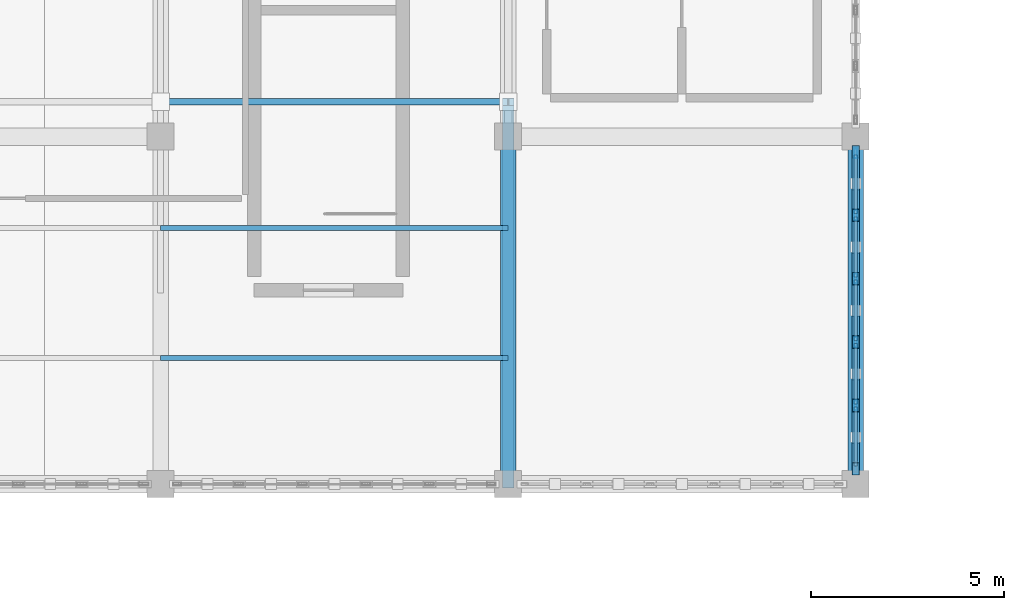
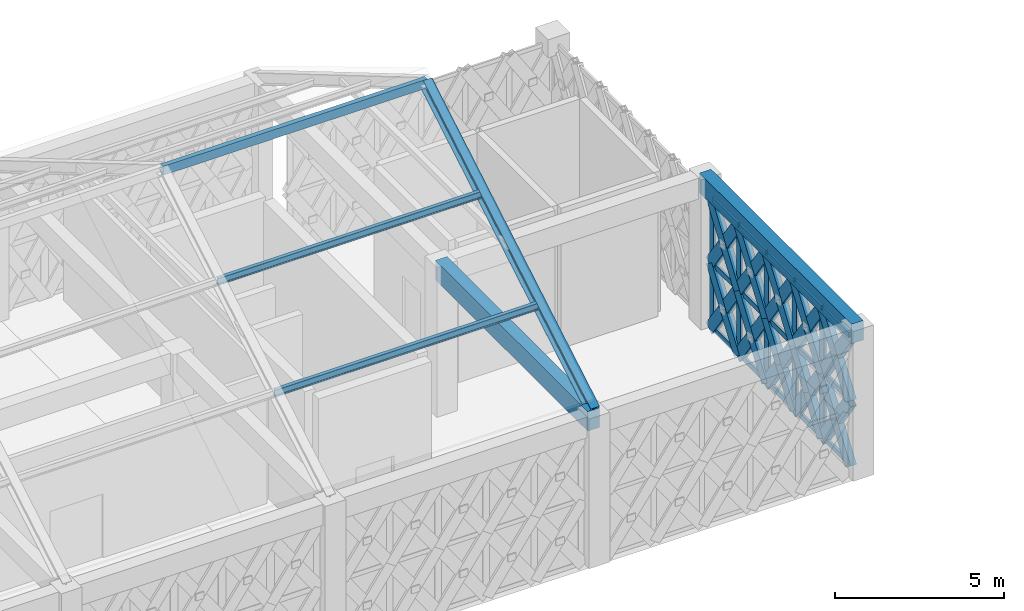
# One storey, part 47 of 72: 54 members, 2 beams, 1 element without a shape of its own.
"""IFC4 building model written with IfcOpenShell, lengths in metres."""

from ifc_helpers import new_model, si_unit, direction, frame, origin, origin_2d, place, context, subcontext, project, spatial, rectangle, hollow_rectangle, i_section, extrude, material, material_profile, profile_set, type_object, element, aggregate, save


model = new_model("IFC4")

# Units and contexts
model_context = context("Model", 3, precision=1e-05, world=origin(), true_north=direction((0.0, 1.0)))
body_context = subcontext(model_context, "Body", "Model", "MODEL_VIEW")
ifc_project = project(units=[si_unit("LENGTHUNIT", "METRE"), si_unit("AREAUNIT", "SQUARE_METRE"), si_unit("VOLUMEUNIT", "CUBIC_METRE"), si_unit("PLANEANGLEUNIT", "RADIAN"), si_unit("MASSUNIT", "GRAM", prefix="KILO")], contexts=[model_context])

# Site, building, storey
site_placement = place(None, origin())
site = spatial("IfcSite", under=ifc_project, at=site_placement, CompositionType="ELEMENT")
building_placement = place(site_placement, origin())
building = spatial("IfcBuilding", under=site, at=building_placement, Name="Haizhuo Lancet Aquarium", CompositionType="ELEMENT")
storey_placement = place(building_placement, frame((0.0, 0.0, 21.60009765625)))
storey = spatial("IfcBuildingStorey", under=building, at=storey_placement, Name="L04", CompositionType="ELEMENT", Elevation=21.60009765625)

# Beams
ifc_material_1 = material(Name="Concrete C40/50", Category="concrete")
ifc_material_profile_1 = material_profile(ifc_material_1, rectangle(XDim=0.39990234375, YDim=0.699951171875, at=origin_2d()), Name="RC-BM 400x700")
ifc_profile_set_1 = profile_set([ifc_material_profile_1], Name="Concrete C40/50")
beam_type = type_object("IfcBeamType", Name="BM-RC-400x700", PredefinedType="BEAM", material=ifc_profile_set_1)
for number, where, z_axis, x_axis, name in (
    (1, (18.0, 36.0, 5.0498046875), (0.0, 1.0, 0.0), (-1.0, 0.0, 0.0), "L04 V5 primary girder BM-L04-V5-021"),
    (2, (27.0, 36.0, 5.0498046875), (0.0, 1.0, 0.0), (-1.0, 0.0, 0.0), "L04 V5 primary girder BM-L04-V5-025"),
):
    element("IfcBeam", number, at=place(storey_placement, frame(where, z_axis=z_axis, x_axis=x_axis)), inside=storey, type_object=beam_type, Name=name, PredefinedType="BEAM", context=body_context, shape_type="SweptSolid", body=[
        extrude(rectangle(XDim=0.39990234375, YDim=0.699951171875, at=origin_2d()), origin(), (0.0, 0.0, 1.0), 9.0),
    ])

# Curtain wall, members
ifc_material_2 = material(Name="Aluminium 6063-T6", Category="aluminium")
curtain_wall_type = type_object("IfcCurtainWallType", Name="CWD-8210x4700", PredefinedType="NOTDEFINED", material=ifc_material_2)
curtain_wall_placement = place(storey_placement, origin())
curtain_wall = element("IfcCurtainWall", 3, at=curtain_wall_placement, inside=storey, type_object=curtain_wall_type, Name="L04 curtain wall CW-V5-L04-183", PredefinedType="NOTDEFINED")
ifc_material_profile_2 = material_profile(ifc_material_2, hollow_rectangle(XDim=0.080078125, YDim=0.260009765625, WallThickness=0.0048828125, at=origin_2d()), Name="ALU-M 80x260x5")
ifc_profile_set_2 = profile_set([ifc_material_profile_2], Name="Aluminium 6063-T6")
member_type_1 = type_object("IfcMemberType", Name="CW-MUL-3", PredefinedType="MULLION", material=ifc_profile_set_2)
member_1_placement = place(storey_placement, frame((27.0, 44.56494140625, 0.0), z_axis=(0.0, 0.0, 1.0), x_axis=(1.0, 0.0, 0.0)))
member_1 = element("IfcMember", 4, at=member_1_placement, type_object=member_type_1, Name="CWD-82x47 mullion 1", PredefinedType="MULLION", context=body_context, shape_type="SweptSolid", body=[
    extrude(hollow_rectangle(XDim=0.080078125, YDim=0.260009765625, WallThickness=0.0048828125, at=origin_2d()), origin(), (0.0, 0.0, 1.0), 4.699951171875),
])
member_2_placement = place(storey_placement, frame((27.0, 42.962890625, 0.0), z_axis=(0.0, 0.0, 1.0), x_axis=(1.0, 0.0, 0.0)))
member_2 = element("IfcMember", 5, at=member_2_placement, type_object=member_type_1, Name="CWD-82x47 mullion 2", PredefinedType="MULLION", context=body_context, shape_type="SweptSolid", body=[
    extrude(hollow_rectangle(XDim=0.080078125, YDim=0.260009765625, WallThickness=0.0048828125, at=origin_2d()), origin(), (0.0, 0.0, 1.0), 4.699951171875),
])
member_3_placement = place(storey_placement, frame((27.0, 41.321044921875, 0.0), z_axis=(0.0, 0.0, 1.0), x_axis=(1.0, 0.0, 0.0)))
member_3 = element("IfcMember", 6, at=member_3_placement, type_object=member_type_1, Name="CWD-82x47 mullion 3", PredefinedType="MULLION", context=body_context, shape_type="SweptSolid", body=[
    extrude(hollow_rectangle(XDim=0.080078125, YDim=0.260009765625, WallThickness=0.0048828125, at=origin_2d()), origin(), (0.0, 0.0, 1.0), 4.699951171875),
])
member_4_placement = place(storey_placement, frame((27.0, 39.678955078125, 0.0), z_axis=(0.0, 0.0, 1.0), x_axis=(1.0, 0.0, 0.0)))
member_4 = element("IfcMember", 7, at=member_4_placement, type_object=member_type_1, Name="CWD-82x47 mullion 4", PredefinedType="MULLION", context=body_context, shape_type="SweptSolid", body=[
    extrude(hollow_rectangle(XDim=0.080078125, YDim=0.260009765625, WallThickness=0.0048828125, at=origin_2d()), origin(), (0.0, 0.0, 1.0), 4.699951171875),
])
member_5_placement = place(storey_placement, frame((27.0, 38.037109375, 0.0), z_axis=(0.0, 0.0, 1.0), x_axis=(1.0, 0.0, 0.0)))
member_5 = element("IfcMember", 8, at=member_5_placement, type_object=member_type_1, Name="CWD-82x47 mullion 5", PredefinedType="MULLION", context=body_context, shape_type="SweptSolid", body=[
    extrude(hollow_rectangle(XDim=0.080078125, YDim=0.260009765625, WallThickness=0.0048828125, at=origin_2d()), origin(), (0.0, 0.0, 1.0), 4.699951171875),
])
ifc_material_profile_3 = material_profile(ifc_material_2, hollow_rectangle(XDim=0.080078125, YDim=0.18994140625, WallThickness=0.0048828125, at=origin_2d()), Name="ALU-T 80x190x5")
ifc_profile_set_3 = profile_set([ifc_material_profile_3], Name="Aluminium 6063-T6")
member_type_2 = type_object("IfcMemberType", Name="CW-TRN-3", PredefinedType="NOTDEFINED", material=ifc_profile_set_3)
member_6_placement = place(storey_placement, frame((27.0, 44.52490234375, 0.039794921875), z_axis=(0.0, -1.0, 0.0), x_axis=(1.0, 0.0, 0.0)))
member_6 = element("IfcMember", 9, at=member_6_placement, type_object=member_type_2, Name="CWD-82x47 transom 1.1", ObjectType="TRANSOM", PredefinedType="USERDEFINED", context=body_context, shape_type="SweptSolid", body=[
    extrude(hollow_rectangle(XDim=0.080078125, YDim=0.18994140625, WallThickness=0.0048828125, at=origin_2d()), origin(), (0.0, 0.0, 1.0), 1.52197265625),
])
member_7_placement = place(storey_placement, frame((27.0, 44.52490234375, 2.349853515625), z_axis=(0.0, -1.0, 0.0), x_axis=(1.0, 0.0, 0.0)))
member_7 = element("IfcMember", 10, at=member_7_placement, type_object=member_type_2, Name="CWD-82x47 transom 1.2", ObjectType="TRANSOM", PredefinedType="USERDEFINED", context=body_context, shape_type="SweptSolid", body=[
    extrude(hollow_rectangle(XDim=0.080078125, YDim=0.18994140625, WallThickness=0.0048828125, at=origin_2d()), origin(), (0.0, 0.0, 1.0), 1.52197265625),
])
member_8_placement = place(storey_placement, frame((27.0, 44.52490234375, 4.659912109375), z_axis=(0.0, -1.0, 0.0), x_axis=(1.0, 0.0, 0.0)))
member_8 = element("IfcMember", 11, at=member_8_placement, type_object=member_type_2, Name="CWD-82x47 transom 1.3", ObjectType="TRANSOM", PredefinedType="USERDEFINED", context=body_context, shape_type="SweptSolid", body=[
    extrude(hollow_rectangle(XDim=0.080078125, YDim=0.18994140625, WallThickness=0.0048828125, at=origin_2d()), origin(), (0.0, 0.0, 1.0), 1.52197265625),
])
member_9_placement = place(storey_placement, frame((27.0, 42.923095703125, 0.039794921875), z_axis=(0.0, -1.0, 0.0), x_axis=(1.0, 0.0, 0.0)))
member_9 = element("IfcMember", 12, at=member_9_placement, type_object=member_type_2, Name="CWD-82x47 transom 2.1", ObjectType="TRANSOM", PredefinedType="USERDEFINED", context=body_context, shape_type="SweptSolid", body=[
    extrude(hollow_rectangle(XDim=0.080078125, YDim=0.18994140625, WallThickness=0.0048828125, at=origin_2d()), origin(), (0.0, 0.0, 1.0), 1.56201171875),
])
member_10_placement = place(storey_placement, frame((27.0, 42.923095703125, 2.349853515625), z_axis=(0.0, -1.0, 0.0), x_axis=(1.0, 0.0, 0.0)))
member_10 = element("IfcMember", 13, at=member_10_placement, type_object=member_type_2, Name="CWD-82x47 transom 2.2", ObjectType="TRANSOM", PredefinedType="USERDEFINED", context=body_context, shape_type="SweptSolid", body=[
    extrude(hollow_rectangle(XDim=0.080078125, YDim=0.18994140625, WallThickness=0.0048828125, at=origin_2d()), origin(), (0.0, 0.0, 1.0), 1.56201171875),
])
member_11_placement = place(storey_placement, frame((27.0, 42.923095703125, 4.659912109375), z_axis=(0.0, -1.0, 0.0), x_axis=(1.0, 0.0, 0.0)))
member_11 = element("IfcMember", 14, at=member_11_placement, type_object=member_type_2, Name="CWD-82x47 transom 2.3", ObjectType="TRANSOM", PredefinedType="USERDEFINED", context=body_context, shape_type="SweptSolid", body=[
    extrude(hollow_rectangle(XDim=0.080078125, YDim=0.18994140625, WallThickness=0.0048828125, at=origin_2d()), origin(), (0.0, 0.0, 1.0), 1.56201171875),
])
member_12_placement = place(storey_placement, frame((27.0, 41.281005859375, 0.039794921875), z_axis=(0.0, -1.0, 0.0), x_axis=(1.0, 0.0, 0.0)))
member_12 = element("IfcMember", 15, at=member_12_placement, type_object=member_type_2, Name="CWD-82x47 transom 3.1", ObjectType="TRANSOM", PredefinedType="USERDEFINED", context=body_context, shape_type="SweptSolid", body=[
    extrude(hollow_rectangle(XDim=0.080078125, YDim=0.18994140625, WallThickness=0.0048828125, at=origin_2d()), origin(), (0.0, 0.0, 1.0), 1.56201171875),
])
member_13_placement = place(storey_placement, frame((27.0, 41.281005859375, 2.349853515625), z_axis=(0.0, -1.0, 0.0), x_axis=(1.0, 0.0, 0.0)))
member_13 = element("IfcMember", 16, at=member_13_placement, type_object=member_type_2, Name="CWD-82x47 transom 3.2", ObjectType="TRANSOM", PredefinedType="USERDEFINED", context=body_context, shape_type="SweptSolid", body=[
    extrude(hollow_rectangle(XDim=0.080078125, YDim=0.18994140625, WallThickness=0.0048828125, at=origin_2d()), origin(), (0.0, 0.0, 1.0), 1.56201171875),
])
member_14_placement = place(storey_placement, frame((27.0, 41.281005859375, 4.659912109375), z_axis=(0.0, -1.0, 0.0), x_axis=(1.0, 0.0, 0.0)))
member_14 = element("IfcMember", 17, at=member_14_placement, type_object=member_type_2, Name="CWD-82x47 transom 3.3", ObjectType="TRANSOM", PredefinedType="USERDEFINED", context=body_context, shape_type="SweptSolid", body=[
    extrude(hollow_rectangle(XDim=0.080078125, YDim=0.18994140625, WallThickness=0.0048828125, at=origin_2d()), origin(), (0.0, 0.0, 1.0), 1.56201171875),
])
member_15_placement = place(storey_placement, frame((27.0, 39.638916015625, 0.039794921875), z_axis=(0.0, -1.0, 0.0), x_axis=(1.0, 0.0, 0.0)))
member_15 = element("IfcMember", 18, at=member_15_placement, type_object=member_type_2, Name="CWD-82x47 transom 4.1", ObjectType="TRANSOM", PredefinedType="USERDEFINED", context=body_context, shape_type="SweptSolid", body=[
    extrude(hollow_rectangle(XDim=0.080078125, YDim=0.18994140625, WallThickness=0.0048828125, at=origin_2d()), origin(), (0.0, 0.0, 1.0), 1.56201171875),
])
member_16_placement = place(storey_placement, frame((27.0, 39.638916015625, 2.349853515625), z_axis=(0.0, -1.0, 0.0), x_axis=(1.0, 0.0, 0.0)))
member_16 = element("IfcMember", 19, at=member_16_placement, type_object=member_type_2, Name="CWD-82x47 transom 4.2", ObjectType="TRANSOM", PredefinedType="USERDEFINED", context=body_context, shape_type="SweptSolid", body=[
    extrude(hollow_rectangle(XDim=0.080078125, YDim=0.18994140625, WallThickness=0.0048828125, at=origin_2d()), origin(), (0.0, 0.0, 1.0), 1.56201171875),
])
member_17_placement = place(storey_placement, frame((27.0, 39.638916015625, 4.659912109375), z_axis=(0.0, -1.0, 0.0), x_axis=(1.0, 0.0, 0.0)))
member_17 = element("IfcMember", 20, at=member_17_placement, type_object=member_type_2, Name="CWD-82x47 transom 4.3", ObjectType="TRANSOM", PredefinedType="USERDEFINED", context=body_context, shape_type="SweptSolid", body=[
    extrude(hollow_rectangle(XDim=0.080078125, YDim=0.18994140625, WallThickness=0.0048828125, at=origin_2d()), origin(), (0.0, 0.0, 1.0), 1.56201171875),
])
member_18_placement = place(storey_placement, frame((27.0, 37.9970703125, 0.039794921875), z_axis=(0.0, -1.0, 0.0), x_axis=(1.0, 0.0, 0.0)))
member_18 = element("IfcMember", 21, at=member_18_placement, type_object=member_type_2, Name="CWD-82x47 transom 5.1", ObjectType="TRANSOM", PredefinedType="USERDEFINED", context=body_context, shape_type="SweptSolid", body=[
    extrude(hollow_rectangle(XDim=0.080078125, YDim=0.18994140625, WallThickness=0.0048828125, at=origin_2d()), origin(), (0.0, 0.0, 1.0), 1.52197265625),
])
member_19_placement = place(storey_placement, frame((27.0, 37.9970703125, 2.349853515625), z_axis=(0.0, -1.0, 0.0), x_axis=(1.0, 0.0, 0.0)))
member_19 = element("IfcMember", 22, at=member_19_placement, type_object=member_type_2, Name="CWD-82x47 transom 5.2", ObjectType="TRANSOM", PredefinedType="USERDEFINED", context=body_context, shape_type="SweptSolid", body=[
    extrude(hollow_rectangle(XDim=0.080078125, YDim=0.18994140625, WallThickness=0.0048828125, at=origin_2d()), origin(), (0.0, 0.0, 1.0), 1.52197265625),
])
member_20_placement = place(storey_placement, frame((27.0, 37.9970703125, 4.659912109375), z_axis=(0.0, -1.0, 0.0), x_axis=(1.0, 0.0, 0.0)))
member_20 = element("IfcMember", 23, at=member_20_placement, type_object=member_type_2, Name="CWD-82x47 transom 5.3", ObjectType="TRANSOM", PredefinedType="USERDEFINED", context=body_context, shape_type="SweptSolid", body=[
    extrude(hollow_rectangle(XDim=0.080078125, YDim=0.18994140625, WallThickness=0.0048828125, at=origin_2d()), origin(), (0.0, 0.0, 1.0), 1.52197265625),
])
aggregate(curtain_wall, [member_1, member_2, member_3, member_4, member_5, member_6, member_7, member_8, member_9, member_10, member_11, member_12, member_13, member_14, member_15, member_16, member_17, member_18, member_19, member_20])

# Members
ifc_material_3 = material(Name="Steel S355", Category="steel")
ifc_material_profile_4 = material_profile(ifc_material_3, hollow_rectangle(XDim=0.159912109375, YDim=0.320068359375, WallThickness=0.010009765625, at=origin_2d()), Name="RHS 160x320x10")
ifc_profile_set_4 = profile_set([ifc_material_profile_4], Name="Steel S355")
member_type_3 = type_object("IfcMemberType", Name="MEM-CH-RHS160x320", PredefinedType="CHORD", material=ifc_profile_set_4)
member_21_placement = place(storey_placement, frame((9.0, 45.89990234375, 11.205810546875), z_axis=(1.0, 0.0, 0.0), x_axis=(0.0, 1.0, 0.0)))
element("IfcMember", 24, at=member_21_placement, inside=storey, type_object=member_type_3, Name="V5 roof ridge chord 4", PredefinedType="CHORD", context=body_context, shape_type="SweptSolid", body=[
    extrude(hollow_rectangle(XDim=0.159912109375, YDim=0.320068359375, WallThickness=0.010009765625, at=origin_2d()), origin(), (0.0, 0.0, 1.0), 9.0),
])
ifc_material_profile_5 = material_profile(ifc_material_3, hollow_rectangle(XDim=0.199951171875, YDim=0.39990234375, WallThickness=0.011962890625, at=origin_2d()), Name="RHS 200x400x12")
ifc_profile_set_5 = profile_set([ifc_material_profile_5], Name="Steel S355")
member_type_4 = type_object("IfcMemberType", Name="MEM-LB-RHS200x400", PredefinedType="BRACE", material=ifc_profile_set_5)
member_22_placement = place(storey_placement, frame((27.0, 44.60498046875, 0.0), z_axis=(0.0, -0.572804863154, 0.819691764475), x_axis=(1.0, 0.0, 0.0)))
element("IfcMember", 25, at=member_22_placement, inside=storey, type_object=member_type_4, Name="Gothic lancet continuous diagonal brace CW-V5-L04-183 1A", PredefinedType="BRACE", context=body_context, shape_type="SweptSolid", body=[
    extrude(hollow_rectangle(XDim=0.199951171875, YDim=0.39990234375, WallThickness=0.011962890625, at=origin_2d()), origin(), (0.0, 0.0, 1.0), 2.86669921875),
])
member_23_placement = place(storey_placement, frame((27.0, 42.962890625, 0.0), z_axis=(0.0, 0.572844851184, 0.819663819179), x_axis=(-1.0, 0.0, 0.0)))
element("IfcMember", 26, at=member_23_placement, inside=storey, type_object=member_type_4, Name="Gothic lancet split diagonal brace CW-V5-L04-183 1B1", PredefinedType="BRACE", context=body_context, shape_type="SweptSolid", body=[
    extrude(hollow_rectangle(XDim=0.199951171875, YDim=0.39990234375, WallThickness=0.011962890625, at=origin_2d()), origin(), (0.0, 0.0, 1.0), 1.433349609375),
])
member_24_placement = place(storey_placement, frame((27.0, 43.783935546875, 1.1748046875), z_axis=(0.0, 0.572764879343, 0.819719703918), x_axis=(-1.0, 0.0, 0.0)))
element("IfcMember", 27, at=member_24_placement, inside=storey, type_object=member_type_4, Name="Gothic lancet split diagonal brace CW-V5-L04-183 1B2", PredefinedType="BRACE", context=body_context, shape_type="SweptSolid", body=[
    extrude(hollow_rectangle(XDim=0.199951171875, YDim=0.39990234375, WallThickness=0.011962890625, at=origin_2d()), origin(), (0.0, 0.0, 1.0), 1.43359375),
])
member_25_placement = place(storey_placement, frame((27.0, 44.60498046875, 2.349853515625), z_axis=(0.0, -0.572764879343, 0.819719703918), x_axis=(1.0, 0.0, 0.0)))
element("IfcMember", 28, at=member_25_placement, inside=storey, type_object=member_type_4, Name="Gothic lancet continuous diagonal brace CW-V5-L04-183 2A", PredefinedType="BRACE", context=body_context, shape_type="SweptSolid", body=[
    extrude(hollow_rectangle(XDim=0.199951171875, YDim=0.39990234375, WallThickness=0.011962890625, at=origin_2d()), origin(), (0.0, 0.0, 1.0), 2.866943359375),
])
for number, where, z_axis, x_axis, name in (
    (29, (27.0, 42.962890625, 2.349853515625), (0.0, 0.572764879343, 0.819719703918), (-1.0, 0.0, 0.0), "Gothic lancet split diagonal brace CW-V5-L04-183 2B1"),
    (30, (27.0, 43.783935546875, 3.52490234375), (0.0, 0.572764879343, 0.819719703918), (-1.0, 0.0, 0.0), "Gothic lancet split diagonal brace CW-V5-L04-183 2B2"),
):
    element("IfcMember", number, at=place(storey_placement, frame(where, z_axis=z_axis, x_axis=x_axis)), inside=storey, type_object=member_type_4, Name=name, PredefinedType="BRACE", context=body_context, shape_type="SweptSolid", body=[
        extrude(hollow_rectangle(XDim=0.199951171875, YDim=0.39990234375, WallThickness=0.011962890625, at=origin_2d()), origin(), (0.0, 0.0, 1.0), 1.43359375),
    ])
member_26_placement = place(storey_placement, frame((27.0, 42.962890625, 0.0), z_axis=(0.0, -0.572747638555, 0.819731750349), x_axis=(1.0, 0.0, 0.0)))
element("IfcMember", 31, at=member_26_placement, inside=storey, type_object=member_type_4, Name="Gothic lancet continuous diagonal brace CW-V5-L04-183 3A", PredefinedType="BRACE", context=body_context, shape_type="SweptSolid", body=[
    extrude(hollow_rectangle(XDim=0.199951171875, YDim=0.39990234375, WallThickness=0.011962890625, at=origin_2d()), origin(), (0.0, 0.0, 1.0), 2.86669921875),
])
for number, where, z_axis, x_axis, name in (
    (32, (27.0, 41.321044921875, 0.0), (0.0, 0.572844851184, 0.819663819179), (-1.0, 0.0, 0.0), "Gothic lancet split diagonal brace CW-V5-L04-183 3B1"),
    (33, (27.0, 42.14208984375, 1.1748046875), (0.0, 0.57265042196, 0.819799667131), (-1.0, 0.0, 0.0), "Gothic lancet split diagonal brace CW-V5-L04-183 3B2"),
):
    element("IfcMember", number, at=place(storey_placement, frame(where, z_axis=z_axis, x_axis=x_axis)), inside=storey, type_object=member_type_4, Name=name, PredefinedType="BRACE", context=body_context, shape_type="SweptSolid", body=[
        extrude(hollow_rectangle(XDim=0.199951171875, YDim=0.39990234375, WallThickness=0.011962890625, at=origin_2d()), origin(), (0.0, 0.0, 1.0), 1.433349609375),
    ])
member_27_placement = place(storey_placement, frame((27.0, 42.962890625, 2.349853515625), z_axis=(0.0, -0.572707654838, 0.819759685572), x_axis=(1.0, 0.0, 0.0)))
element("IfcMember", 34, at=member_27_placement, inside=storey, type_object=member_type_4, Name="Gothic lancet continuous diagonal brace CW-V5-L04-183 4A", PredefinedType="BRACE", context=body_context, shape_type="SweptSolid", body=[
    extrude(hollow_rectangle(XDim=0.199951171875, YDim=0.39990234375, WallThickness=0.011962890625, at=origin_2d()), origin(), (0.0, 0.0, 1.0), 2.86669921875),
])
member_28_placement = place(storey_placement, frame((27.0, 41.321044921875, 2.349853515625), z_axis=(0.0, 0.572764879343, 0.819719703918), x_axis=(-1.0, 0.0, 0.0)))
element("IfcMember", 35, at=member_28_placement, inside=storey, type_object=member_type_4, Name="Gothic lancet split diagonal brace CW-V5-L04-183 4B1", PredefinedType="BRACE", context=body_context, shape_type="SweptSolid", body=[
    extrude(hollow_rectangle(XDim=0.199951171875, YDim=0.39990234375, WallThickness=0.011962890625, at=origin_2d()), origin(), (0.0, 0.0, 1.0), 1.43359375),
])
member_29_placement = place(storey_placement, frame((27.0, 42.14208984375, 3.52490234375), z_axis=(0.0, 0.57265042196, 0.819799667131), x_axis=(-1.0, 0.0, 0.0)))
element("IfcMember", 36, at=member_29_placement, inside=storey, type_object=member_type_4, Name="Gothic lancet split diagonal brace CW-V5-L04-183 4B2", PredefinedType="BRACE", context=body_context, shape_type="SweptSolid", body=[
    extrude(hollow_rectangle(XDim=0.199951171875, YDim=0.39990234375, WallThickness=0.011962890625, at=origin_2d()), origin(), (0.0, 0.0, 1.0), 1.433349609375),
])
member_30_placement = place(storey_placement, frame((27.0, 41.321044921875, 0.0), z_axis=(0.0, -0.572804863154, 0.819691764475), x_axis=(1.0, 0.0, 0.0)))
element("IfcMember", 37, at=member_30_placement, inside=storey, type_object=member_type_4, Name="Gothic lancet continuous diagonal brace CW-V5-L04-183 5A", PredefinedType="BRACE", context=body_context, shape_type="SweptSolid", body=[
    extrude(hollow_rectangle(XDim=0.199951171875, YDim=0.39990234375, WallThickness=0.011962890625, at=origin_2d()), origin(), (0.0, 0.0, 1.0), 2.86669921875),
])
member_31_placement = place(storey_placement, frame((27.0, 39.678955078125, 0.0), z_axis=(0.0, 0.572844851184, 0.819663819179), x_axis=(-1.0, 0.0, 0.0)))
element("IfcMember", 38, at=member_31_placement, inside=storey, type_object=member_type_4, Name="Gothic lancet split diagonal brace CW-V5-L04-183 5B1", PredefinedType="BRACE", context=body_context, shape_type="SweptSolid", body=[
    extrude(hollow_rectangle(XDim=0.199951171875, YDim=0.39990234375, WallThickness=0.011962890625, at=origin_2d()), origin(), (0.0, 0.0, 1.0), 1.433349609375),
])
member_32_placement = place(storey_placement, frame((27.0, 40.5, 1.1748046875), z_axis=(0.0, 0.572764879343, 0.819719703918), x_axis=(-1.0, 0.0, 0.0)))
element("IfcMember", 39, at=member_32_placement, inside=storey, type_object=member_type_4, Name="Gothic lancet split diagonal brace CW-V5-L04-183 5B2", PredefinedType="BRACE", context=body_context, shape_type="SweptSolid", body=[
    extrude(hollow_rectangle(XDim=0.199951171875, YDim=0.39990234375, WallThickness=0.011962890625, at=origin_2d()), origin(), (0.0, 0.0, 1.0), 1.43359375),
])
member_33_placement = place(storey_placement, frame((27.0, 41.321044921875, 2.349853515625), z_axis=(0.0, -0.572764879343, 0.819719703918), x_axis=(1.0, 0.0, 0.0)))
element("IfcMember", 40, at=member_33_placement, inside=storey, type_object=member_type_4, Name="Gothic lancet continuous diagonal brace CW-V5-L04-183 6A", PredefinedType="BRACE", context=body_context, shape_type="SweptSolid", body=[
    extrude(hollow_rectangle(XDim=0.199951171875, YDim=0.39990234375, WallThickness=0.011962890625, at=origin_2d()), origin(), (0.0, 0.0, 1.0), 2.866943359375),
])
for number, where, z_axis, x_axis, name in (
    (41, (27.0, 39.678955078125, 2.349853515625), (0.0, 0.572764879343, 0.819719703918), (-1.0, 0.0, 0.0), "Gothic lancet split diagonal brace CW-V5-L04-183 6B1"),
    (42, (27.0, 40.5, 3.52490234375), (0.0, 0.572764879343, 0.819719703918), (-1.0, 0.0, 0.0), "Gothic lancet split diagonal brace CW-V5-L04-183 6B2"),
):
    element("IfcMember", number, at=place(storey_placement, frame(where, z_axis=z_axis, x_axis=x_axis)), inside=storey, type_object=member_type_4, Name=name, PredefinedType="BRACE", context=body_context, shape_type="SweptSolid", body=[
        extrude(hollow_rectangle(XDim=0.199951171875, YDim=0.39990234375, WallThickness=0.011962890625, at=origin_2d()), origin(), (0.0, 0.0, 1.0), 1.43359375),
    ])
member_34_placement = place(storey_placement, frame((27.0, 39.678955078125, 0.0), z_axis=(0.0, -0.572747638555, 0.819731750349), x_axis=(1.0, 0.0, 0.0)))
element("IfcMember", 43, at=member_34_placement, inside=storey, type_object=member_type_4, Name="Gothic lancet continuous diagonal brace CW-V5-L04-183 7A", PredefinedType="BRACE", context=body_context, shape_type="SweptSolid", body=[
    extrude(hollow_rectangle(XDim=0.199951171875, YDim=0.39990234375, WallThickness=0.011962890625, at=origin_2d()), origin(), (0.0, 0.0, 1.0), 2.86669921875),
])
member_35_placement = place(storey_placement, frame((27.0, 38.037109375, 0.0), z_axis=(0.0, 0.572730393424, 0.819743799274), x_axis=(-1.0, 0.0, 0.0)))
element("IfcMember", 44, at=member_35_placement, inside=storey, type_object=member_type_4, Name="Gothic lancet split diagonal brace CW-V5-L04-183 7B1", PredefinedType="BRACE", context=body_context, shape_type="SweptSolid", body=[
    extrude(hollow_rectangle(XDim=0.199951171875, YDim=0.39990234375, WallThickness=0.011962890625, at=origin_2d()), origin(), (0.0, 0.0, 1.0), 1.43310546875),
])
member_36_placement = place(storey_placement, frame((27.0, 38.85791015625, 1.1748046875), z_axis=(0.0, 0.572764879343, 0.819719703918), x_axis=(-1.0, 0.0, 0.0)))
element("IfcMember", 45, at=member_36_placement, inside=storey, type_object=member_type_4, Name="Gothic lancet split diagonal brace CW-V5-L04-183 7B2", PredefinedType="BRACE", context=body_context, shape_type="SweptSolid", body=[
    extrude(hollow_rectangle(XDim=0.199951171875, YDim=0.39990234375, WallThickness=0.011962890625, at=origin_2d()), origin(), (0.0, 0.0, 1.0), 1.43359375),
])
member_37_placement = place(storey_placement, frame((27.0, 39.678955078125, 2.349853515625), z_axis=(0.0, -0.572707654838, 0.819759685572), x_axis=(1.0, 0.0, 0.0)))
element("IfcMember", 46, at=member_37_placement, inside=storey, type_object=member_type_4, Name="Gothic lancet continuous diagonal brace CW-V5-L04-183 8A", PredefinedType="BRACE", context=body_context, shape_type="SweptSolid", body=[
    extrude(hollow_rectangle(XDim=0.199951171875, YDim=0.39990234375, WallThickness=0.011962890625, at=origin_2d()), origin(), (0.0, 0.0, 1.0), 2.86669921875),
])
member_38_placement = place(storey_placement, frame((27.0, 38.037109375, 2.349853515625), z_axis=(0.0, 0.57265042196, 0.819799667131), x_axis=(-1.0, 0.0, 0.0)))
element("IfcMember", 47, at=member_38_placement, inside=storey, type_object=member_type_4, Name="Gothic lancet split diagonal brace CW-V5-L04-183 8B1", PredefinedType="BRACE", context=body_context, shape_type="SweptSolid", body=[
    extrude(hollow_rectangle(XDim=0.199951171875, YDim=0.39990234375, WallThickness=0.011962890625, at=origin_2d()), origin(), (0.0, 0.0, 1.0), 1.433349609375),
])
member_39_placement = place(storey_placement, frame((27.0, 38.85791015625, 3.52490234375), z_axis=(0.0, 0.572764879343, 0.819719703918), x_axis=(-1.0, 0.0, 0.0)))
element("IfcMember", 48, at=member_39_placement, inside=storey, type_object=member_type_4, Name="Gothic lancet split diagonal brace CW-V5-L04-183 8B2", PredefinedType="BRACE", context=body_context, shape_type="SweptSolid", body=[
    extrude(hollow_rectangle(XDim=0.199951171875, YDim=0.39990234375, WallThickness=0.011962890625, at=origin_2d()), origin(), (0.0, 0.0, 1.0), 1.43359375),
])
member_40_placement = place(storey_placement, frame((27.0, 38.037109375, 0.0), z_axis=(0.0, -0.572804863154, 0.819691764475), x_axis=(1.0, 0.0, 0.0)))
element("IfcMember", 49, at=member_40_placement, inside=storey, type_object=member_type_4, Name="Gothic lancet continuous diagonal brace CW-V5-L04-183 9A", PredefinedType="BRACE", context=body_context, shape_type="SweptSolid", body=[
    extrude(hollow_rectangle(XDim=0.199951171875, YDim=0.39990234375, WallThickness=0.011962890625, at=origin_2d()), origin(), (0.0, 0.0, 1.0), 2.86669921875),
])
member_41_placement = place(storey_placement, frame((27.0, 36.39501953125, 0.0), z_axis=(0.0, 0.572844851184, 0.819663819179), x_axis=(-1.0, 0.0, 0.0)))
element("IfcMember", 50, at=member_41_placement, inside=storey, type_object=member_type_4, Name="Gothic lancet split diagonal brace CW-V5-L04-183 9B1", PredefinedType="BRACE", context=body_context, shape_type="SweptSolid", body=[
    extrude(hollow_rectangle(XDim=0.199951171875, YDim=0.39990234375, WallThickness=0.011962890625, at=origin_2d()), origin(), (0.0, 0.0, 1.0), 1.433349609375),
])
member_42_placement = place(storey_placement, frame((27.0, 37.216064453125, 1.1748046875), z_axis=(0.0, 0.572764879343, 0.819719703918), x_axis=(-1.0, 0.0, 0.0)))
element("IfcMember", 51, at=member_42_placement, inside=storey, type_object=member_type_4, Name="Gothic lancet split diagonal brace CW-V5-L04-183 9B2", PredefinedType="BRACE", context=body_context, shape_type="SweptSolid", body=[
    extrude(hollow_rectangle(XDim=0.199951171875, YDim=0.39990234375, WallThickness=0.011962890625, at=origin_2d()), origin(), (0.0, 0.0, 1.0), 1.43359375),
])
member_43_placement = place(storey_placement, frame((27.0, 38.037109375, 2.349853515625), z_axis=(0.0, -0.572764879343, 0.819719703918), x_axis=(1.0, 0.0, 0.0)))
element("IfcMember", 52, at=member_43_placement, inside=storey, type_object=member_type_4, Name="Gothic lancet continuous diagonal brace CW-V5-L04-183 10A", PredefinedType="BRACE", context=body_context, shape_type="SweptSolid", body=[
    extrude(hollow_rectangle(XDim=0.199951171875, YDim=0.39990234375, WallThickness=0.011962890625, at=origin_2d()), origin(), (0.0, 0.0, 1.0), 2.866943359375),
])
for number, where, z_axis, x_axis, name in (
    (53, (27.0, 36.39501953125, 2.349853515625), (0.0, 0.572764879343, 0.819719703918), (-1.0, 0.0, 0.0), "Gothic lancet split diagonal brace CW-V5-L04-183 10B1"),
    (54, (27.0, 37.216064453125, 3.52490234375), (0.0, 0.572764879343, 0.819719703918), (-1.0, 0.0, 0.0), "Gothic lancet split diagonal brace CW-V5-L04-183 10B2"),
):
    element("IfcMember", number, at=place(storey_placement, frame(where, z_axis=z_axis, x_axis=x_axis)), inside=storey, type_object=member_type_4, Name=name, PredefinedType="BRACE", context=body_context, shape_type="SweptSolid", body=[
        extrude(hollow_rectangle(XDim=0.199951171875, YDim=0.39990234375, WallThickness=0.011962890625, at=origin_2d()), origin(), (0.0, 0.0, 1.0), 1.43359375),
    ])
ifc_material_profile_6 = material_profile(ifc_material_3, i_section(OverallWidth=0.125, OverallDepth=0.25, WebThickness=0.006103515625, FlangeThickness=0.009033203125, FilletRadius=0.010009765625, at=origin_2d()), Name="HN 250x125x6x9")
ifc_profile_set_6 = profile_set([ifc_material_profile_6], Name="Steel S355")
member_type_5 = type_object("IfcMemberType", Name="MEM-PR-HN250", PredefinedType="PURLIN", material=ifc_profile_set_6)
for number, where, z_axis, x_axis, name in (
    (55, (9.0, 39.26708984375, 7.185791015625), (1.0, 0.0, 0.0), (0.0, 1.0, 0.0), "V5 south roof purlin 4"),
    (56, (9.0, 42.633056640625, 9.169921875), (1.0, 0.0, 0.0), (0.0, 1.0, 0.0), "V5 south roof purlin 4"),
):
    element("IfcMember", number, at=place(storey_placement, frame(where, z_axis=z_axis, x_axis=x_axis)), inside=storey, type_object=member_type_5, Name=name, PredefinedType="PURLIN", context=body_context, shape_type="SweptSolid", body=[
        extrude(i_section(OverallWidth=0.125, OverallDepth=0.25, WebThickness=0.006103515625, FlangeThickness=0.009033203125, FilletRadius=0.010009765625, at=origin_2d()), origin(), (0.0, 0.0, 1.0), 9.0),
    ])
ifc_material_profile_7 = material_profile(ifc_material_3, i_section(OverallWidth=0.300048828125, OverallDepth=0.389892578125, WebThickness=0.010009765625, FlangeThickness=0.01611328125, FilletRadius=0.02001953125, at=origin_2d()), Name="HM 390x300x10x16")
ifc_profile_set_7 = profile_set([ifc_material_profile_7], Name="Steel S355")
member_type_6 = type_object("IfcMemberType", Name="MEM-RF-HM390", PredefinedType="RAFTER", material=ifc_profile_set_7)
member_44_placement = place(storey_placement, frame((18.0, 36.0, 5.369873046875), z_axis=(0.0, 0.861459799208, 0.507825771647), x_axis=(-1.0, 0.0, 0.0)))
element("IfcMember", 57, at=member_44_placement, inside=storey, type_object=member_type_6, Name="V5 Gothic pitched roof south rafter 5", PredefinedType="RAFTER", context=body_context, shape_type="SweptSolid", body=[
    extrude(i_section(OverallWidth=0.300048828125, OverallDepth=0.389892578125, WebThickness=0.010009765625, FlangeThickness=0.01611328125, FilletRadius=0.02001953125, at=origin_2d()), origin(), (0.0, 0.0, 1.0), 11.491943359375),
])

save(model, "model.ifc")
